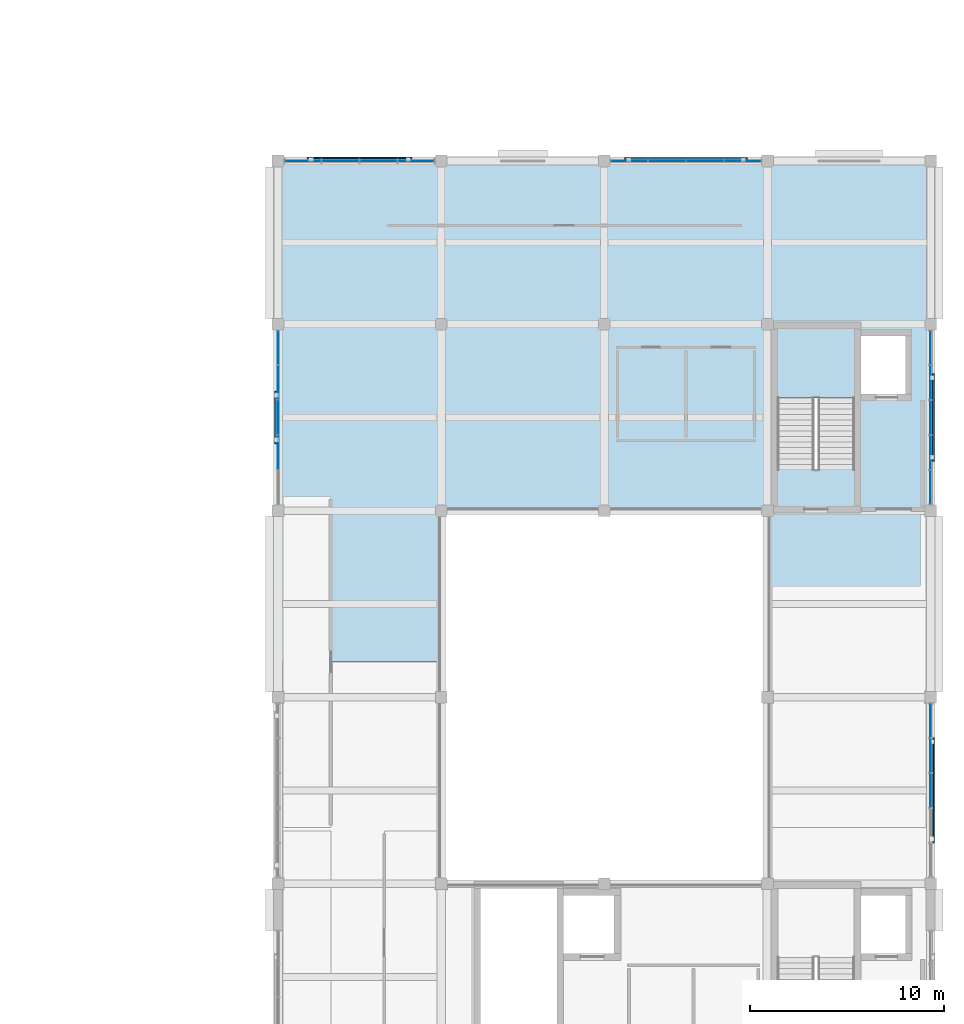
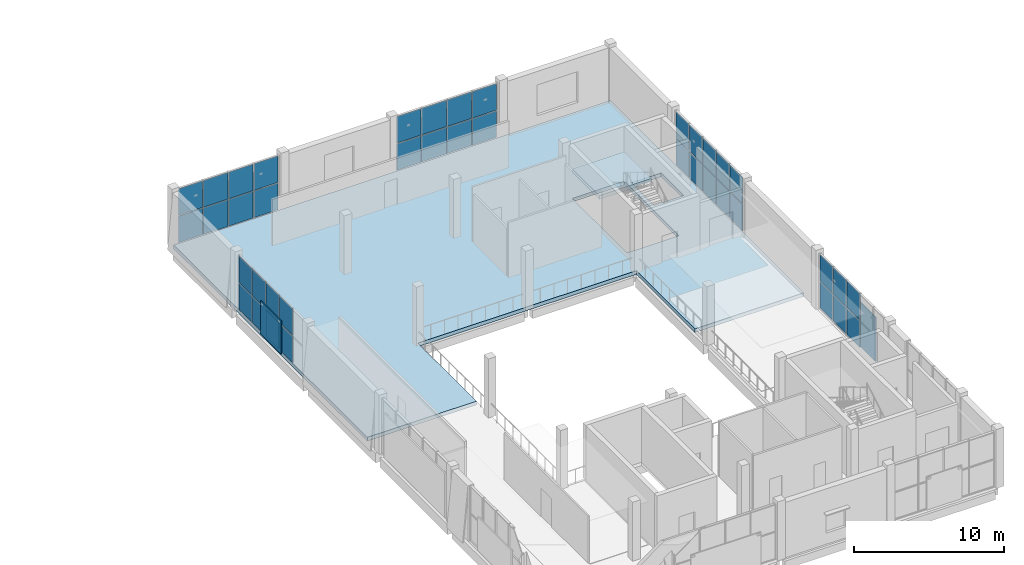
# One storey, part 23 of 37: 45 plates, 2 slabs, 6 elements without a shape of their own.
"""IFC4 building model written with IfcOpenShell, lengths in metres."""

from ifc_helpers import new_model, si_unit, direction, frame, origin, origin_2d, place, context, subcontext, project, spatial, polyline, rectangle, outline, extrude, material, layer, layer_set, type_object, element, aggregate, save


model = new_model("IFC4")

# Units and contexts
model_context = context("Model", 3, precision=1e-05, world=origin(), true_north=direction((0.0, 1.0)))
body_context = subcontext(model_context, "Body", "Model", "MODEL_VIEW")
ifc_project = project(units=[si_unit("LENGTHUNIT", "METRE"), si_unit("AREAUNIT", "SQUARE_METRE"), si_unit("VOLUMEUNIT", "CUBIC_METRE"), si_unit("PLANEANGLEUNIT", "RADIAN"), si_unit("MASSUNIT", "GRAM", prefix="KILO")], contexts=[model_context])

# Site, building, storey
site_placement = place(None, origin())
site = spatial("IfcSite", under=ifc_project, at=site_placement, CompositionType="ELEMENT")
building_placement = place(site_placement, origin())
building = spatial("IfcBuilding", under=site, at=building_placement, Name="Shalvenor Court Art Gallery", CompositionType="ELEMENT")
storey_placement = place(building_placement, frame((0.0, 0.0, 22.199951171875)))
storey = spatial("IfcBuildingStorey", under=building, at=storey_placement, Name="L04", CompositionType="ELEMENT", Elevation=22.199951171875)

# Curtain wall, plates
ifc_material_1 = material(Name="Anodised aluminium and low-iron glass curtain wall", Category="aluminium")
curtain_wall_type_1 = type_object("IfcCurtainWallType", Name="CW-4x2-78-45-412", PredefinedType="USERDEFINED", material=ifc_material_1)
curtain_wall_1_placement = place(storey_placement, origin())
curtain_wall_1 = element("IfcCurtainWall", 1, at=curtain_wall_1_placement, inside=storey, type_object=curtain_wall_type_1, Name="L04 V1 Curtain Wall CW-L04-030", ObjectType="CURTAIN WALL", PredefinedType="USERDEFINED")
ifc_material_2 = material(Name="Low-iron triple-silver solar gallery glazing IGU", Category="glass")
ifc_layer_1 = layer(ifc_material_2, 0.031982421875, Name="Low-iron triple-silver solar gallery glazing IGU")
ifc_layer_set_1 = layer_set([ifc_layer_1], Name="Low-iron triple-silver solar gallery glazing IGU")
plate_type_1 = type_object("IfcPlateType", Name="CWP-02", PredefinedType="CURTAIN_PANEL", material=ifc_layer_set_1)
plate_1_placement = place(storey_placement, frame((144.09375, 97.199951171875, 0.06005859375), z_axis=(0.0, 0.0, 1.0), x_axis=(1.0, 0.0, 0.0)))
plate_1 = element("IfcPlate", 2, at=plate_1_placement, type_object=plate_type_1, Name="CW-4x2-78-45-412 panel 1.1", PredefinedType="CURTAIN_PANEL", context=body_context, shape_type="SweptSolid", body=[
    extrude(rectangle(XDim=1.83740234375, YDim=0.031982421875, at=origin_2d()), origin(), (0.0, 0.0, 1.0), 2.159912109375),
])
plate_2_placement = place(storey_placement, frame((144.09375, 97.199951171875, 2.2802734375), z_axis=(0.0, 0.0, 1.0), x_axis=(1.0, 0.0, 0.0)))
plate_2 = element("IfcPlate", 3, at=plate_2_placement, type_object=plate_type_1, Name="CW-4x2-78-45-412 panel 1.2", PredefinedType="CURTAIN_PANEL", context=body_context, shape_type="SweptSolid", body=[
    extrude(rectangle(XDim=1.83740234375, YDim=0.031982421875, at=origin_2d()), origin(), (0.0, 0.0, 1.0), 2.159912109375),
])
plate_3_placement = place(storey_placement, frame((146.02490234375, 97.199951171875, 0.06005859375), z_axis=(0.0, 0.0, 1.0), x_axis=(1.0, 0.0, 0.0)))
plate_3 = element("IfcPlate", 4, at=plate_3_placement, type_object=plate_type_1, Name="CW-4x2-78-45-412 panel 2.1", PredefinedType="CURTAIN_PANEL", context=body_context, shape_type="SweptSolid", body=[
    extrude(rectangle(XDim=1.875, YDim=0.031982421875, at=origin_2d()), origin(), (0.0, 0.0, 1.0), 2.159912109375),
])
plate_4_placement = place(storey_placement, frame((146.02490234375, 97.199951171875, 2.2802734375), z_axis=(0.0, 0.0, 1.0), x_axis=(1.0, 0.0, 0.0)))
plate_4 = element("IfcPlate", 5, at=plate_4_placement, type_object=plate_type_1, Name="CW-4x2-78-45-412 panel 2.2", PredefinedType="CURTAIN_PANEL", context=body_context, shape_type="SweptSolid", body=[
    extrude(rectangle(XDim=1.875, YDim=0.031982421875, at=origin_2d()), origin(), (0.0, 0.0, 1.0), 2.159912109375),
])
plate_5_placement = place(storey_placement, frame((147.97509765625, 97.199951171875, 0.06005859375), z_axis=(0.0, 0.0, 1.0), x_axis=(1.0, 0.0, 0.0)))
plate_5 = element("IfcPlate", 6, at=plate_5_placement, type_object=plate_type_1, Name="CW-4x2-78-45-412 panel 3.1", PredefinedType="CURTAIN_PANEL", context=body_context, shape_type="SweptSolid", body=[
    extrude(rectangle(XDim=1.875, YDim=0.031982421875, at=origin_2d()), origin(), (0.0, 0.0, 1.0), 2.159912109375),
])
plate_6_placement = place(storey_placement, frame((147.97509765625, 97.199951171875, 2.2802734375), z_axis=(0.0, 0.0, 1.0), x_axis=(1.0, 0.0, 0.0)))
plate_6 = element("IfcPlate", 7, at=plate_6_placement, type_object=plate_type_1, Name="CW-4x2-78-45-412 panel 3.2", PredefinedType="CURTAIN_PANEL", context=body_context, shape_type="SweptSolid", body=[
    extrude(rectangle(XDim=1.875, YDim=0.031982421875, at=origin_2d()), origin(), (0.0, 0.0, 1.0), 2.159912109375),
])
plate_7_placement = place(storey_placement, frame((149.90625, 97.199951171875, 0.06005859375), z_axis=(0.0, 0.0, 1.0), x_axis=(1.0, 0.0, 0.0)))
plate_7 = element("IfcPlate", 8, at=plate_7_placement, type_object=plate_type_1, Name="CW-4x2-78-45-412 panel 4.1", PredefinedType="CURTAIN_PANEL", context=body_context, shape_type="SweptSolid", body=[
    extrude(rectangle(XDim=1.83740234375, YDim=0.031982421875, at=origin_2d()), origin(), (0.0, 0.0, 1.0), 2.159912109375),
])
plate_8_placement = place(storey_placement, frame((149.90625, 97.199951171875, 2.2802734375), z_axis=(0.0, 0.0, 1.0), x_axis=(1.0, 0.0, 0.0)))
plate_8 = element("IfcPlate", 9, at=plate_8_placement, type_object=plate_type_1, Name="CW-4x2-78-45-412 panel 4.2", PredefinedType="CURTAIN_PANEL", context=body_context, shape_type="SweptSolid", body=[
    extrude(rectangle(XDim=1.83740234375, YDim=0.031982421875, at=origin_2d()), origin(), (0.0, 0.0, 1.0), 2.159912109375),
])
aggregate(curtain_wall_1, [plate_1, plate_2, plate_3, plate_4, plate_5, plate_6, plate_7, plate_8])

ifc_material_3 = material(Name="Anodised aluminium and low-iron glass curtain wall", Category="aluminium")
curtain_wall_type_2 = type_object("IfcCurtainWallType", Name="CW-4x2-78-45-622", PredefinedType="USERDEFINED", material=ifc_material_3)
curtain_wall_2_placement = place(storey_placement, origin())
curtain_wall_2 = element("IfcCurtainWall", 10, at=curtain_wall_2_placement, inside=storey, type_object=curtain_wall_type_2, Name="L04 V1 Curtain Wall CW-L04-031", ObjectType="CURTAIN WALL", PredefinedType="USERDEFINED")
plate_9_placement = place(storey_placement, frame((160.888671875, 97.199951171875, 0.06494140625), z_axis=(0.0, 0.0, 1.0), x_axis=(1.0, 0.0, 0.0)))
plate_9 = element("IfcPlate", 11, at=plate_9_placement, type_object=plate_type_1, Name="CW-4x2-78-45-622 panel 1.1", PredefinedType="CURTAIN_PANEL", context=body_context, shape_type="SweptSolid", body=[
    extrude(rectangle(XDim=1.867431640625, YDim=0.031982421875, at=origin_2d()), origin(), (0.0, 0.0, 1.0), 2.152587890625),
])
plate_10_placement = place(storey_placement, frame((160.888671875, 97.199951171875, 2.28271484375), z_axis=(0.0, 0.0, 1.0), x_axis=(1.0, 0.0, 0.0)))
plate_10 = element("IfcPlate", 12, at=plate_10_placement, type_object=plate_type_1, Name="CW-4x2-78-45-622 panel 1.2", PredefinedType="CURTAIN_PANEL", context=body_context, shape_type="SweptSolid", body=[
    extrude(rectangle(XDim=1.867431640625, YDim=0.031982421875, at=origin_2d()), origin(), (0.0, 0.0, 1.0), 2.152587890625),
])
plate_11_placement = place(storey_placement, frame((162.824951171875, 97.199951171875, 0.06494140625), z_axis=(0.0, 0.0, 1.0), x_axis=(1.0, 0.0, 0.0)))
plate_11 = element("IfcPlate", 13, at=plate_11_placement, type_object=plate_type_1, Name="CW-4x2-78-45-622 panel 2.1", PredefinedType="CURTAIN_PANEL", context=body_context, shape_type="SweptSolid", body=[
    extrude(rectangle(XDim=1.89501953125, YDim=0.031982421875, at=origin_2d()), origin(), (0.0, 0.0, 1.0), 2.152587890625),
])
plate_12_placement = place(storey_placement, frame((162.824951171875, 97.199951171875, 2.28271484375), z_axis=(0.0, 0.0, 1.0), x_axis=(1.0, 0.0, 0.0)))
plate_12 = element("IfcPlate", 14, at=plate_12_placement, type_object=plate_type_1, Name="CW-4x2-78-45-622 panel 2.2", PredefinedType="CURTAIN_PANEL", context=body_context, shape_type="SweptSolid", body=[
    extrude(rectangle(XDim=1.89501953125, YDim=0.031982421875, at=origin_2d()), origin(), (0.0, 0.0, 1.0), 2.152587890625),
])
plate_13_placement = place(storey_placement, frame((164.77490234375, 97.199951171875, 0.06494140625), z_axis=(0.0, 0.0, 1.0), x_axis=(1.0, 0.0, 0.0)))
plate_13 = element("IfcPlate", 15, at=plate_13_placement, type_object=plate_type_1, Name="CW-4x2-78-45-622 panel 3.1", PredefinedType="CURTAIN_PANEL", context=body_context, shape_type="SweptSolid", body=[
    extrude(rectangle(XDim=1.89501953125, YDim=0.031982421875, at=origin_2d()), origin(), (0.0, 0.0, 1.0), 2.152587890625),
])
plate_14_placement = place(storey_placement, frame((164.77490234375, 97.199951171875, 2.28271484375), z_axis=(0.0, 0.0, 1.0), x_axis=(1.0, 0.0, 0.0)))
plate_14 = element("IfcPlate", 16, at=plate_14_placement, type_object=plate_type_1, Name="CW-4x2-78-45-622 panel 3.2", PredefinedType="CURTAIN_PANEL", context=body_context, shape_type="SweptSolid", body=[
    extrude(rectangle(XDim=1.89501953125, YDim=0.031982421875, at=origin_2d()), origin(), (0.0, 0.0, 1.0), 2.152587890625),
])
plate_15_placement = place(storey_placement, frame((166.711181640625, 97.199951171875, 0.06494140625), z_axis=(0.0, 0.0, 1.0), x_axis=(1.0, 0.0, 0.0)))
plate_15 = element("IfcPlate", 17, at=plate_15_placement, type_object=plate_type_1, Name="CW-4x2-78-45-622 panel 4.1", PredefinedType="CURTAIN_PANEL", context=body_context, shape_type="SweptSolid", body=[
    extrude(rectangle(XDim=1.867431640625, YDim=0.031982421875, at=origin_2d()), origin(), (0.0, 0.0, 1.0), 2.152587890625),
])
plate_16_placement = place(storey_placement, frame((166.711181640625, 97.199951171875, 2.28271484375), z_axis=(0.0, 0.0, 1.0), x_axis=(1.0, 0.0, 0.0)))
plate_16 = element("IfcPlate", 18, at=plate_16_placement, type_object=plate_type_1, Name="CW-4x2-78-45-622 panel 4.2", PredefinedType="CURTAIN_PANEL", context=body_context, shape_type="SweptSolid", body=[
    extrude(rectangle(XDim=1.867431640625, YDim=0.031982421875, at=origin_2d()), origin(), (0.0, 0.0, 1.0), 2.152587890625),
])
aggregate(curtain_wall_2, [plate_9, plate_10, plate_11, plate_12, plate_13, plate_14, plate_15, plate_16])

ifc_material_4 = material(Name="Anodised aluminium and low-iron glass curtain wall", Category="aluminium")
curtain_wall_type_3 = type_object("IfcCurtainWallType", Name="CW-5x2-90-45-142", PredefinedType="USERDEFINED", material=ifc_material_4)
curtain_wall_3_placement = place(storey_placement, origin())
curtain_wall_3 = element("IfcCurtainWall", 19, at=curtain_wall_3_placement, inside=storey, type_object=curtain_wall_type_3, Name="L04 V1 Curtain Wall CW-L04-032", ObjectType="CURTAIN WALL", PredefinedType="USERDEFINED")
plate_17_placement = place(storey_placement, frame((176.39990234375, 87.583740234375, 0.070068359375), z_axis=(0.0, 0.0, 1.0), x_axis=(0.0, -1.0, 0.0)))
plate_17 = element("IfcPlate", 20, at=plate_17_placement, type_object=plate_type_1, Name="CW-5x2-90-45-142 panel 1.1", PredefinedType="CURTAIN_PANEL", context=body_context, shape_type="SweptSolid", body=[
    extrude(rectangle(XDim=1.702392578125, YDim=0.031982421875, at=origin_2d()), origin(), (0.0, 0.0, 1.0), 2.14501953125),
])
plate_18_placement = place(storey_placement, frame((176.39990234375, 87.583740234375, 2.28515625), z_axis=(0.0, 0.0, 1.0), x_axis=(0.0, -1.0, 0.0)))
plate_18 = element("IfcPlate", 21, at=plate_18_placement, type_object=plate_type_1, Name="CW-5x2-90-45-142 panel 1.2", PredefinedType="CURTAIN_PANEL", context=body_context, shape_type="SweptSolid", body=[
    extrude(rectangle(XDim=1.702392578125, YDim=0.031982421875, at=origin_2d()), origin(), (0.0, 0.0, 1.0), 2.14501953125),
])
plate_19_placement = place(storey_placement, frame((176.39990234375, 85.800048828125, 0.070068359375), z_axis=(0.0, 0.0, 1.0), x_axis=(0.0, -1.0, 0.0)))
plate_19 = element("IfcPlate", 22, at=plate_19_placement, type_object=plate_type_1, Name="CW-5x2-90-45-142 panel 2.1", PredefinedType="CURTAIN_PANEL", context=body_context, shape_type="SweptSolid", body=[
    extrude(rectangle(XDim=1.735107421875, YDim=0.031982421875, at=origin_2d()), origin(), (0.0, 0.0, 1.0), 2.14501953125),
])
plate_20_placement = place(storey_placement, frame((176.39990234375, 85.800048828125, 2.28515625), z_axis=(0.0, 0.0, 1.0), x_axis=(0.0, -1.0, 0.0)))
plate_20 = element("IfcPlate", 23, at=plate_20_placement, type_object=plate_type_1, Name="CW-5x2-90-45-142 panel 2.2", PredefinedType="CURTAIN_PANEL", context=body_context, shape_type="SweptSolid", body=[
    extrude(rectangle(XDim=1.735107421875, YDim=0.031982421875, at=origin_2d()), origin(), (0.0, 0.0, 1.0), 2.14501953125),
])
plate_21_placement = place(storey_placement, frame((176.39990234375, 84.0, 0.070068359375), z_axis=(0.0, 0.0, 1.0), x_axis=(0.0, -1.0, 0.0)))
plate_21 = element("IfcPlate", 24, at=plate_21_placement, type_object=plate_type_1, Name="CW-5x2-90-45-142 panel 3.1", PredefinedType="CURTAIN_PANEL", context=body_context, shape_type="SweptSolid", body=[
    extrude(rectangle(XDim=1.735107421875, YDim=0.031982421875, at=origin_2d()), origin(), (0.0, 0.0, 1.0), 2.14501953125),
])
plate_22_placement = place(storey_placement, frame((176.39990234375, 84.0, 2.28515625), z_axis=(0.0, 0.0, 1.0), x_axis=(0.0, -1.0, 0.0)))
plate_22 = element("IfcPlate", 25, at=plate_22_placement, type_object=plate_type_1, Name="CW-5x2-90-45-142 panel 3.2", PredefinedType="CURTAIN_PANEL", context=body_context, shape_type="SweptSolid", body=[
    extrude(rectangle(XDim=1.735107421875, YDim=0.031982421875, at=origin_2d()), origin(), (0.0, 0.0, 1.0), 2.14501953125),
])
plate_23_placement = place(storey_placement, frame((176.39990234375, 82.199951171875, 0.070068359375), z_axis=(0.0, 0.0, 1.0), x_axis=(0.0, -1.0, 0.0)))
plate_23 = element("IfcPlate", 26, at=plate_23_placement, type_object=plate_type_1, Name="CW-5x2-90-45-142 panel 4.1", PredefinedType="CURTAIN_PANEL", context=body_context, shape_type="SweptSolid", body=[
    extrude(rectangle(XDim=1.735107421875, YDim=0.031982421875, at=origin_2d()), origin(), (0.0, 0.0, 1.0), 2.14501953125),
])
plate_24_placement = place(storey_placement, frame((176.39990234375, 82.199951171875, 2.28515625), z_axis=(0.0, 0.0, 1.0), x_axis=(0.0, -1.0, 0.0)))
plate_24 = element("IfcPlate", 27, at=plate_24_placement, type_object=plate_type_1, Name="CW-5x2-90-45-142 panel 4.2", PredefinedType="CURTAIN_PANEL", context=body_context, shape_type="SweptSolid", body=[
    extrude(rectangle(XDim=1.735107421875, YDim=0.031982421875, at=origin_2d()), origin(), (0.0, 0.0, 1.0), 2.14501953125),
])
plate_25_placement = place(storey_placement, frame((176.39990234375, 80.416259765625, 0.070068359375), z_axis=(0.0, 0.0, 1.0), x_axis=(0.0, -1.0, 0.0)))
plate_25 = element("IfcPlate", 28, at=plate_25_placement, type_object=plate_type_1, Name="CW-5x2-90-45-142 panel 5.1", PredefinedType="CURTAIN_PANEL", context=body_context, shape_type="SweptSolid", body=[
    extrude(rectangle(XDim=1.702392578125, YDim=0.031982421875, at=origin_2d()), origin(), (0.0, 0.0, 1.0), 2.14501953125),
])
plate_26_placement = place(storey_placement, frame((176.39990234375, 80.416259765625, 2.28515625), z_axis=(0.0, 0.0, 1.0), x_axis=(0.0, -1.0, 0.0)))
plate_26 = element("IfcPlate", 29, at=plate_26_placement, type_object=plate_type_1, Name="CW-5x2-90-45-142 panel 5.2", PredefinedType="CURTAIN_PANEL", context=body_context, shape_type="SweptSolid", body=[
    extrude(rectangle(XDim=1.702392578125, YDim=0.031982421875, at=origin_2d()), origin(), (0.0, 0.0, 1.0), 2.14501953125),
])
aggregate(curtain_wall_3, [plate_17, plate_18, plate_19, plate_20, plate_21, plate_22, plate_23, plate_24, plate_25, plate_26])

ifc_material_5 = material(Name="Anodised aluminium and low-iron glass curtain wall", Category="aluminium")
curtain_wall_type_4 = type_object("IfcCurtainWallType", Name="CW-5x2-90-45-212", PredefinedType="USERDEFINED", material=ifc_material_5)
curtain_wall_4_placement = place(storey_placement, origin())
curtain_wall_4 = element("IfcCurtainWall", 30, at=curtain_wall_4_placement, inside=storey, type_object=curtain_wall_type_4, Name="L04 V1 Curtain Wall CW-L04-033", ObjectType="CURTAIN WALL", PredefinedType="USERDEFINED")
plate_27_placement = place(storey_placement, frame((176.39990234375, 68.382568359375, 0.06005859375), z_axis=(0.0, 0.0, 1.0), x_axis=(0.0, -1.0, 0.0)))
plate_27 = element("IfcPlate", 31, at=plate_27_placement, type_object=plate_type_1, Name="CW-5x2-90-45-212 panel 1.1", PredefinedType="CURTAIN_PANEL", context=body_context, shape_type="SweptSolid", body=[
    extrude(rectangle(XDim=1.695068359375, YDim=0.031982421875, at=origin_2d()), origin(), (0.0, 0.0, 1.0), 2.159912109375),
])
plate_28_placement = place(storey_placement, frame((176.39990234375, 68.382568359375, 2.2802734375), z_axis=(0.0, 0.0, 1.0), x_axis=(0.0, -1.0, 0.0)))
plate_28 = element("IfcPlate", 32, at=plate_28_placement, type_object=plate_type_1, Name="CW-5x2-90-45-212 panel 1.2", PredefinedType="CURTAIN_PANEL", context=body_context, shape_type="SweptSolid", body=[
    extrude(rectangle(XDim=1.695068359375, YDim=0.031982421875, at=origin_2d()), origin(), (0.0, 0.0, 1.0), 2.159912109375),
])
plate_29_placement = place(storey_placement, frame((176.39990234375, 66.60009765625, 0.06005859375), z_axis=(0.0, 0.0, 1.0), x_axis=(0.0, -1.0, 0.0)))
plate_29 = element("IfcPlate", 33, at=plate_29_placement, type_object=plate_type_1, Name="CW-5x2-90-45-212 panel 2.1", PredefinedType="CURTAIN_PANEL", context=body_context, shape_type="SweptSolid", body=[
    extrude(rectangle(XDim=1.72998046875, YDim=0.031982421875, at=origin_2d()), origin(), (0.0, 0.0, 1.0), 2.159912109375),
])
plate_30_placement = place(storey_placement, frame((176.39990234375, 66.60009765625, 2.2802734375), z_axis=(0.0, 0.0, 1.0), x_axis=(0.0, -1.0, 0.0)))
plate_30 = element("IfcPlate", 34, at=plate_30_placement, type_object=plate_type_1, Name="CW-5x2-90-45-212 panel 2.2", PredefinedType="CURTAIN_PANEL", context=body_context, shape_type="SweptSolid", body=[
    extrude(rectangle(XDim=1.72998046875, YDim=0.031982421875, at=origin_2d()), origin(), (0.0, 0.0, 1.0), 2.159912109375),
])
plate_31_placement = place(storey_placement, frame((176.39990234375, 64.800048828125, 0.06005859375), z_axis=(0.0, 0.0, 1.0), x_axis=(0.0, -1.0, 0.0)))
plate_31 = element("IfcPlate", 35, at=plate_31_placement, type_object=plate_type_1, Name="CW-5x2-90-45-212 panel 3.1", PredefinedType="CURTAIN_PANEL", context=body_context, shape_type="SweptSolid", body=[
    extrude(rectangle(XDim=1.72998046875, YDim=0.031982421875, at=origin_2d()), origin(), (0.0, 0.0, 1.0), 2.159912109375),
])
plate_32_placement = place(storey_placement, frame((176.39990234375, 64.800048828125, 2.2802734375), z_axis=(0.0, 0.0, 1.0), x_axis=(0.0, -1.0, 0.0)))
plate_32 = element("IfcPlate", 36, at=plate_32_placement, type_object=plate_type_1, Name="CW-5x2-90-45-212 panel 3.2", PredefinedType="CURTAIN_PANEL", context=body_context, shape_type="SweptSolid", body=[
    extrude(rectangle(XDim=1.72998046875, YDim=0.031982421875, at=origin_2d()), origin(), (0.0, 0.0, 1.0), 2.159912109375),
])
aggregate(curtain_wall_4, [plate_27, plate_28, plate_29, plate_30, plate_31, plate_32])

ifc_material_6 = material(Name="Anodised aluminium and low-iron glass curtain wall", Category="aluminium")
curtain_wall_type_5 = type_object("IfcCurtainWallType", Name="CW-5x2-90-45-612", PredefinedType="USERDEFINED", material=ifc_material_6)
curtain_wall_5_placement = place(storey_placement, origin())
curtain_wall_5 = element("IfcCurtainWall", 37, at=curtain_wall_5_placement, inside=storey, type_object=curtain_wall_type_5, Name="L04 V1 Curtain Wall CW-L04-039", ObjectType="CURTAIN WALL", PredefinedType="USERDEFINED")
plate_33_placement = place(storey_placement, frame((142.800048828125, 82.199951171875, 0.06005859375), z_axis=(0.0, 0.0, 1.0), x_axis=(0.0, 1.0, 0.0)))
plate_33 = element("IfcPlate", 38, at=plate_33_placement, type_object=plate_type_1, Name="CW-5x2-90-45-612 panel 2.1", PredefinedType="CURTAIN_PANEL", context=body_context, shape_type="SweptSolid", body=[
    extrude(rectangle(XDim=1.7451171875, YDim=0.031982421875, at=origin_2d()), origin(), (0.0, 0.0, 1.0), 2.159912109375),
])
plate_34_placement = place(storey_placement, frame((142.800048828125, 82.199951171875, 2.2802734375), z_axis=(0.0, 0.0, 1.0), x_axis=(0.0, 1.0, 0.0)))
plate_34 = element("IfcPlate", 39, at=plate_34_placement, type_object=plate_type_1, Name="CW-5x2-90-45-612 panel 2.2", PredefinedType="CURTAIN_PANEL", context=body_context, shape_type="SweptSolid", body=[
    extrude(rectangle(XDim=1.7451171875, YDim=0.031982421875, at=origin_2d()), origin(), (0.0, 0.0, 1.0), 2.159912109375),
])
plate_35_placement = place(storey_placement, frame((142.800048828125, 84.0, 0.06005859375), z_axis=(0.0, 0.0, 1.0), x_axis=(0.0, 1.0, 0.0)))
plate_35 = element("IfcPlate", 40, at=plate_35_placement, type_object=plate_type_1, Name="CW-5x2-90-45-612 panel 3.1", PredefinedType="CURTAIN_PANEL", context=body_context, shape_type="SweptSolid", body=[
    extrude(rectangle(XDim=1.7451171875, YDim=0.031982421875, at=origin_2d()), origin(), (0.0, 0.0, 1.0), 2.159912109375),
])
plate_36_placement = place(storey_placement, frame((142.800048828125, 84.0, 2.2802734375), z_axis=(0.0, 0.0, 1.0), x_axis=(0.0, 1.0, 0.0)))
plate_36 = element("IfcPlate", 41, at=plate_36_placement, type_object=plate_type_1, Name="CW-5x2-90-45-612 panel 3.2", PredefinedType="CURTAIN_PANEL", context=body_context, shape_type="SweptSolid", body=[
    extrude(rectangle(XDim=1.7451171875, YDim=0.031982421875, at=origin_2d()), origin(), (0.0, 0.0, 1.0), 2.159912109375),
])
plate_37_placement = place(storey_placement, frame((142.800048828125, 85.800048828125, 0.06005859375), z_axis=(0.0, 0.0, 1.0), x_axis=(0.0, 1.0, 0.0)))
plate_37 = element("IfcPlate", 42, at=plate_37_placement, type_object=plate_type_1, Name="CW-5x2-90-45-612 panel 4.1", PredefinedType="CURTAIN_PANEL", context=body_context, shape_type="SweptSolid", body=[
    extrude(rectangle(XDim=1.7451171875, YDim=0.031982421875, at=origin_2d()), origin(), (0.0, 0.0, 1.0), 2.159912109375),
])
plate_38_placement = place(storey_placement, frame((142.800048828125, 85.800048828125, 2.2802734375), z_axis=(0.0, 0.0, 1.0), x_axis=(0.0, 1.0, 0.0)))
plate_38 = element("IfcPlate", 43, at=plate_38_placement, type_object=plate_type_1, Name="CW-5x2-90-45-612 panel 4.2", PredefinedType="CURTAIN_PANEL", context=body_context, shape_type="SweptSolid", body=[
    extrude(rectangle(XDim=1.7451171875, YDim=0.031982421875, at=origin_2d()), origin(), (0.0, 0.0, 1.0), 2.159912109375),
])
plate_39_placement = place(storey_placement, frame((142.800048828125, 87.586181640625, 0.06005859375), z_axis=(0.0, 0.0, 1.0), x_axis=(0.0, 1.0, 0.0)))
plate_39 = element("IfcPlate", 44, at=plate_39_placement, type_object=plate_type_1, Name="CW-5x2-90-45-612 panel 5.1", PredefinedType="CURTAIN_PANEL", context=body_context, shape_type="SweptSolid", body=[
    extrude(rectangle(XDim=1.717529296875, YDim=0.031982421875, at=origin_2d()), origin(), (0.0, 0.0, 1.0), 2.159912109375),
])
plate_40_placement = place(storey_placement, frame((142.800048828125, 87.586181640625, 2.2802734375), z_axis=(0.0, 0.0, 1.0), x_axis=(0.0, 1.0, 0.0)))
plate_40 = element("IfcPlate", 45, at=plate_40_placement, type_object=plate_type_1, Name="CW-5x2-90-45-612 panel 5.2", PredefinedType="CURTAIN_PANEL", context=body_context, shape_type="SweptSolid", body=[
    extrude(rectangle(XDim=1.717529296875, YDim=0.031982421875, at=origin_2d()), origin(), (0.0, 0.0, 1.0), 2.159912109375),
])
aggregate(curtain_wall_5, [plate_33, plate_34, plate_35, plate_36, plate_37, plate_38, plate_39, plate_40])

# Slab
ifc_material_7 = material(Name="Concrete C40/50", Category="concrete")
ifc_layer_2 = layer(ifc_material_7, 0.300048828125, Name="Concrete C40/50")
ifc_layer_set_2 = layer_set([ifc_layer_2], Name="Concrete C40/50")
slab_type_1 = type_object("IfcSlabType", Name="FS-300", PredefinedType="FLOOR", material=ifc_layer_set_2)
slab_1_placement = place(storey_placement, frame((0.0, 0.0, -0.300048828125)))
element("IfcSlab", 46, at=slab_1_placement, inside=storey, type_object=slab_type_1, Name="L04 V1 Floor Slab 2", PredefinedType="FLOOR", context=body_context, shape_type="SweptSolid", body=[
    extrude(outline(polyline([(176.39990234375, 71.39990234375), (168.0, 71.39990234375), (168.0, 79.199951171875), (151.199951171875, 79.199951171875), (151.199951171875, 71.39990234375), (142.800048828125, 71.39990234375), (142.800048828125, 97.199951171875), (176.39990234375, 97.199951171875), (176.39990234375, 71.39990234375)]), holes=[polyline([(168.5, 81.31103515625), (172.5, 81.31103515625), (172.5, 88.60009765625), (168.5, 88.60009765625), (168.5, 81.31103515625)]), polyline([(175.10009765625, 85.199951171875), (175.10009765625, 88.199951171875), (172.81201171875, 88.199951171875), (172.81201171875, 85.199951171875), (175.10009765625, 85.199951171875)])]), origin(), (0.0, 0.0, 1.0), 0.300048828125),
])

# Plates
ifc_material_8 = material(Name="Perforated pale limestone GRC lattice", Category="masonry")
ifc_layer_3 = layer(ifc_material_8, 0.090087890625, Name="Perforated pale limestone GRC lattice")
ifc_layer_set_3 = layer_set([ifc_layer_3], Name="Perforated pale limestone GRC lattice")
plate_type_2 = type_object("IfcPlateType", Name="SCR-02", PredefinedType="USERDEFINED", material=ifc_layer_set_3)
plate_41_placement = place(storey_placement, frame((176.532958984375, 84.0, 0.0), z_axis=(0.0, 0.0, 1.0), x_axis=(0.0, -1.0, 0.0)))
element("IfcPlate", 47, at=plate_41_placement, inside=storey, type_object=plate_type_2, Name="L04 V1 Perforated Stone Lattice Screen PLT-SCR-0032", ObjectType="SCREEN", PredefinedType="USERDEFINED", context=body_context, shape_type="SweptSolid", body=[
    extrude(rectangle(XDim=4.5, YDim=0.090087890625, at=origin_2d()), origin(), (0.0, 0.0, 1.0), 3.60009765625),
])
ifc_material_9 = material(Name="Perforated pale limestone GRC lattice", Category="masonry")
ifc_layer_4 = layer(ifc_material_9, 0.090087890625, Name="Perforated pale limestone GRC lattice")
ifc_layer_set_4 = layer_set([ifc_layer_4], Name="Perforated pale limestone GRC lattice")
plate_type_3 = type_object("IfcPlateType", Name="SCR-03", PredefinedType="USERDEFINED", material=ifc_layer_set_4)
for number, where, z_axis, x_axis, name in (
    (48, (147.0, 97.35302734375, 0.0), (0.0, 0.0, 1.0), (1.0, 0.0, 0.0), "L04 V1 Perforated Stone Lattice Screen PLT-SCR-0030"),
    (49, (176.54296875, 64.800048828125, 0.0), (0.0, 0.0, 1.0), (0.0, -1.0, 0.0), "L04 V1 Perforated Stone Lattice Screen PLT-SCR-0033"),
):
    element("IfcPlate", number, at=place(storey_placement, frame(where, z_axis=z_axis, x_axis=x_axis)), inside=storey, type_object=plate_type_3, Name=name, ObjectType="SCREEN", PredefinedType="USERDEFINED", context=body_context, shape_type="SweptSolid", body=[
        extrude(rectangle(XDim=5.39990234375, YDim=0.090087890625, at=origin_2d()), origin(), (0.0, 0.0, 1.0), 3.60009765625),
    ])
ifc_material_10 = material(Name="Perforated pale limestone GRC lattice", Category="masonry")
ifc_layer_5 = layer(ifc_material_10, 0.090087890625, Name="Perforated pale limestone GRC lattice")
ifc_layer_set_5 = layer_set([ifc_layer_5], Name="Perforated pale limestone GRC lattice")
plate_type_4 = type_object("IfcPlateType", Name="SCR-05", PredefinedType="USERDEFINED", material=ifc_layer_set_5)
plate_42_placement = place(storey_placement, frame((163.800048828125, 97.31298828125, 0.0), z_axis=(0.0, 0.0, 1.0), x_axis=(1.0, 0.0, 0.0)))
element("IfcPlate", 50, at=plate_42_placement, inside=storey, type_object=plate_type_4, Name="L04 V1 Perforated Stone Lattice Screen PLT-SCR-0031", ObjectType="SCREEN", PredefinedType="USERDEFINED", context=body_context, shape_type="SweptSolid", body=[
    extrude(rectangle(XDim=6.300048828125, YDim=0.090087890625, at=origin_2d()), origin(), (0.0, 0.0, 1.0), 3.60009765625),
])
ifc_material_11 = material(Name="Perforated pale limestone GRC lattice", Category="masonry")
ifc_layer_6 = layer(ifc_material_11, 0.0849609375, Name="Perforated pale limestone GRC lattice")
ifc_layer_set_6 = layer_set([ifc_layer_6], Name="Perforated pale limestone GRC lattice")
plate_type_5 = type_object("IfcPlateType", Name="SCR-13", PredefinedType="USERDEFINED", material=ifc_layer_set_6)
plate_43_placement = place(storey_placement, frame((142.689453125, 84.0, 0.0), z_axis=(0.0, 0.0, 1.0), x_axis=(0.0, 1.0, 0.0)))
element("IfcPlate", 51, at=plate_43_placement, inside=storey, type_object=plate_type_5, Name="L04 V1 Perforated Stone Lattice Screen PLT-SCR-0039", ObjectType="SCREEN", PredefinedType="USERDEFINED", context=body_context, shape_type="SweptSolid", body=[
    extrude(rectangle(XDim=2.699951171875, YDim=0.0849609375, at=origin_2d()), origin(), (0.0, 0.0, 1.0), 2.699951171875),
])

# Stair, slab
ifc_material_12 = material(Name="Concrete C40/50", Category="concrete")
stair_type = type_object("IfcStairType", Name="ST-DL-28R-1900", PredefinedType="HALF_TURN_STAIR", material=ifc_material_12)
stair_placement = place(storey_placement, origin())
stair = element("IfcStair", 52, at=stair_placement, inside=storey, type_object=stair_type, Name="L04 Core Dogleg Stair ST-01", PredefinedType="HALF_TURN_STAIR")
ifc_material_13 = material(Name="Concrete C40/50", Category="concrete")
ifc_layer_7 = layer(ifc_material_13, 0.300048828125, Name="Concrete C40/50")
ifc_layer_set_7 = layer_set([ifc_layer_7], Name="Concrete C40/50")
slab_type_2 = type_object("IfcSlabType", Name="SLD-300", PredefinedType="LANDING", material=ifc_layer_set_7)
slab_2_placement = place(storey_placement, frame((0.0, 0.0, 2.10009765625)))
slab_2 = element("IfcSlab", 53, at=slab_2_placement, type_object=slab_type_2, Name="ST-DL-28R-1900 landing 1", PredefinedType="LANDING", context=body_context, shape_type="SweptSolid", body=[
    extrude(outline(polyline([(172.5, 85.0048828125), (172.5, 88.60009765625), (168.5, 88.60009765625), (168.5, 85.0048828125), (172.5, 85.0048828125)])), origin(), (0.0, 0.0, 1.0), 0.300048828125),
])
aggregate(stair, [slab_2])

save(model, "model.ifc")
